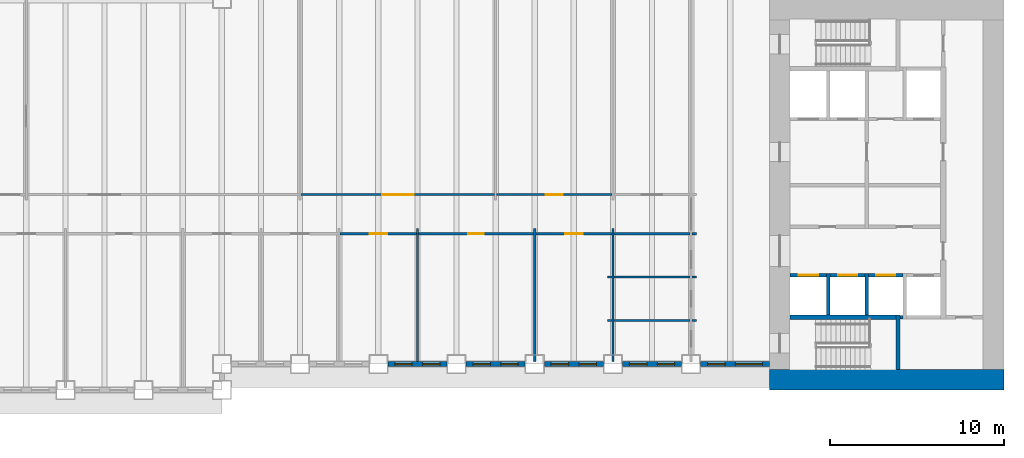
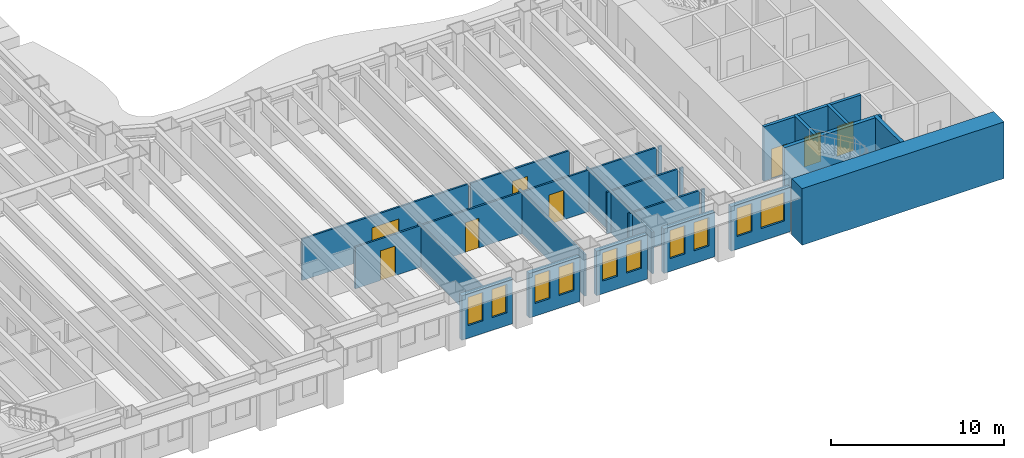
# One storey, part 5 of 15: 30 walls, 10 windows, 8 doors, 18 openings.
"""IFC4 building model written with IfcOpenShell, lengths in metres."""

from ifc_helpers import new_model, si_unit, direction, frame, frame_2d, origin, place, context, subcontext, project, spatial, rectangle, extrude, material, layer, layer_set, type_object, element, fill, save


model = new_model("IFC4")

# Units and contexts
model_context = context("Model", 3, precision=1e-05, world=origin(), true_north=direction((0.0, 1.0)))
body_context = subcontext(model_context, "Body", "Model", "MODEL_VIEW")
ifc_project = project(units=[si_unit("LENGTHUNIT", "METRE"), si_unit("AREAUNIT", "SQUARE_METRE"), si_unit("VOLUMEUNIT", "CUBIC_METRE"), si_unit("PLANEANGLEUNIT", "RADIAN"), si_unit("MASSUNIT", "GRAM", prefix="KILO")], contexts=[model_context])

# Site, building, storey
site_placement = place(None, origin())
site = spatial("IfcSite", under=ifc_project, at=site_placement, CompositionType="ELEMENT")
building_placement = place(site_placement, origin())
building = spatial("IfcBuilding", under=site, at=building_placement, Name="Sennacour Bend Tower", CompositionType="ELEMENT")
storey_placement = place(building_placement, frame((0.0, 0.0, 37.0)))
storey = spatial("IfcBuildingStorey", under=building, at=storey_placement, Name="L07", CompositionType="ELEMENT", Elevation=37.0)

# Walls
ifc_material_1 = material(Name="Concrete C80/95", Category="concrete")
ifc_layer_1 = layer(ifc_material_1, 1.199951171875, Name="Concrete C80/95", Category="concrete")
ifc_layer_set_1 = layer_set([ifc_layer_1], Name="Concrete C80/95")
wall_type_1 = type_object("IfcWallType", Name="Core wall 1200 C80/95", PredefinedType="SHEAR", material=ifc_layer_set_1)
wall_1_placement = place(storey_placement, frame((67.5, 0.60009765625, -0.14990234375), z_axis=(0.0, 0.0, 1.0), x_axis=(-1.0, 0.0, 0.0)))
element("IfcWall", 1, at=wall_1_placement, inside=storey, type_object=wall_type_1, Name="Core A wall L07 S", PredefinedType="SHEAR", context=body_context, shape_type="SweptSolid", body=[
    extrude(rectangle(XDim=13.5, YDim=1.199951171875, at=frame_2d((6.75, 0.0))), origin(), (0.0, 0.0, 1.0), 4.0),
])
ifc_material_2 = material(Name="Plasterboard partition on steel studs", Category="steel")
ifc_layer_2 = layer(ifc_material_2, 0.1201171875, Name="Plasterboard partition on steel studs", Category="steel")
ifc_layer_set_2 = layer_set([ifc_layer_2], Name="Plasterboard partition on steel studs")
wall_type_2 = type_object("IfcWallType", Name="Partition 120", PredefinedType="PARTITIONING", material=ifc_layer_set_2)
for number, where, z_axis, x_axis, name in (
    (2, (33.75, 1.64990234375, 0.0), (0.0, 0.0, 1.0), (0.0, 1.0, 0.0), "P-L07-W029a"),
    (3, (40.5, 1.64990234375, 0.0), (0.0, 0.0, 1.0), (0.0, 1.0, 0.0), "P-L07-W031a"),
    (4, (45.0, 1.64990234375, 0.0), (0.0, 0.0, 1.0), (0.0, 1.0, 0.0), "P-L07-W032a"),
):
    element("IfcWall", number, at=place(storey_placement, frame(where, z_axis=z_axis, x_axis=x_axis)), inside=storey, type_object=wall_type_2, Name=name, PredefinedType="PARTITIONING", context=body_context, shape_type="SweptSolid", body=[
        extrude(rectangle(XDim=7.650146484375, YDim=0.1201171875, at=frame_2d((3.8251953125, 0.0))), origin(), (0.0, 0.0, 1.0), 2.93798828125),
    ])
wall_2_placement = place(storey_placement, frame((44.699951171875, 4.0, 0.0), z_axis=(0.0, 0.0, 1.0), x_axis=(1.0, 0.0, 0.0)))
element("IfcWall", 5, at=wall_2_placement, inside=storey, type_object=wall_type_2, Name="P-L07-W052aa", PredefinedType="PARTITIONING", context=body_context, shape_type="SweptSolid", body=[
    extrude(rectangle(XDim=0.239990234375, YDim=0.1201171875, at=frame_2d((0.1201171875, 0.0))), origin(), (0.0, 0.0, 1.0), 2.93798828125),
])
wall_3_placement = place(storey_placement, frame((45.06005859375, 4.0, 0.0), z_axis=(0.0, 0.0, 1.0), x_axis=(1.0, 0.0, 0.0)))
element("IfcWall", 6, at=wall_3_placement, inside=storey, type_object=wall_type_2, Name="P-L07-W052ab", PredefinedType="PARTITIONING", context=body_context, shape_type="SweptSolid", body=[
    extrude(rectangle(XDim=4.3798828125, YDim=0.1201171875, at=frame_2d((2.18994140625, 0.0))), origin(), (0.0, 0.0, 1.0), 2.93798828125),
])
for number, where, z_axis, x_axis, name in (
    (7, (49.56005859375, 4.0, 0.0), (0.0, 0.0, 1.0), (1.0, 0.0, 0.0), "P-L07-W052ac"),
    (8, (44.699951171875, 6.5, 0.0), (0.0, 0.0, 1.0), (1.0, 0.0, 0.0), "P-L07-W056aa"),
):
    element("IfcWall", number, at=place(storey_placement, frame(where, z_axis=z_axis, x_axis=x_axis)), inside=storey, type_object=wall_type_2, Name=name, PredefinedType="PARTITIONING", context=body_context, shape_type="SweptSolid", body=[
        extrude(rectangle(XDim=0.239990234375, YDim=0.1201171875, at=frame_2d((0.1201171875, 0.0))), origin(), (0.0, 0.0, 1.0), 2.93798828125),
    ])
wall_4_placement = place(storey_placement, frame((45.06005859375, 6.5, 0.0), z_axis=(0.0, 0.0, 1.0), x_axis=(1.0, 0.0, 0.0)))
element("IfcWall", 9, at=wall_4_placement, inside=storey, type_object=wall_type_2, Name="P-L07-W056ab", PredefinedType="PARTITIONING", context=body_context, shape_type="SweptSolid", body=[
    extrude(rectangle(XDim=4.3798828125, YDim=0.1201171875, at=frame_2d((2.18994140625, 0.0))), origin(), (0.0, 0.0, 1.0), 2.93798828125),
])
wall_5_placement = place(storey_placement, frame((49.56005859375, 6.5, 0.0), z_axis=(0.0, 0.0, 1.0), x_axis=(1.0, 0.0, 0.0)))
element("IfcWall", 10, at=wall_5_placement, inside=storey, type_object=wall_type_2, Name="P-L07-W056ac", PredefinedType="PARTITIONING", context=body_context, shape_type="SweptSolid", body=[
    extrude(rectangle(XDim=0.239990234375, YDim=0.1201171875, at=frame_2d((0.1201171875, 0.0))), origin(), (0.0, 0.0, 1.0), 2.93798828125),
])

# Wall, opening, door
wall_6_placement = place(storey_placement, frame((29.31005859375, 9.0, 0.0), z_axis=(0.0, 0.0, 1.0), x_axis=(1.0, 0.0, 0.0)))
wall_6 = element("IfcWall", 11, at=wall_6_placement, inside=storey, type_object=wall_type_2, Name="P-L07-W058af", PredefinedType="PARTITIONING", context=body_context, shape_type="SweptSolid", body=[
    extrude(rectangle(XDim=4.3798828125, YDim=0.1201171875, at=frame_2d((2.18994140625, 0.0))), origin(), (0.0, 0.0, 1.0), 2.93798828125),
])
opening_1_placement = place(wall_6_placement, frame((1.68994140625, 0.0, 0.0)))
opening_1 = element("IfcOpeningElement", 12, at=opening_1_placement, cuts=wall_6, Name="Opening OD2", PredefinedType="OPENING", context=body_context, shape_type="SweptSolid", body=[
    extrude(rectangle(XDim=1.0, YDim=2.10009765625, at=frame_2d((0.5, 1.050048828125))), frame((0.0, 0.070068359375, 0.0), z_axis=(0.0, -1.0, 0.0), x_axis=(1.0, 0.0, 0.0)), (0.0, 0.0, 1.0), 0.14013671875),
])
ifc_material_3 = material(Name="Timber", Category="wood")
door_type_1 = type_object("IfcDoorType", Name="DR-OFFICE-1000", OperationType="NOTDEFINED", PredefinedType="DOOR", material=ifc_material_3)
door_1_placement = place(opening_1_placement, origin())
door_1 = element("IfcDoor", 13, at=door_1_placement, inside=storey, type_object=door_type_1, Name="Door", OperationType="SINGLE_SWING_LEFT", OverallHeight=2.10009765625, OverallWidth=1.0, PredefinedType="DOOR", context=body_context, shape_type="SweptSolid", body=[
    extrude(rectangle(XDim=1.0, YDim=2.10009765625, at=frame_2d((0.5, 1.050048828125))), frame((0.0, 0.02490234375, 0.0), z_axis=(0.0, -1.0, 0.0), x_axis=(1.0, 0.0, 0.0)), (0.0, 0.0, 1.0), 0.050048828125),
])
fill(opening_1, door_1)

wall_7_placement = place(storey_placement, frame((40.56005859375, 9.0, 0.0), z_axis=(0.0, 0.0, 1.0), x_axis=(1.0, 0.0, 0.0)))
wall_7 = element("IfcWall", 14, at=wall_7_placement, inside=storey, type_object=wall_type_2, Name="P-L07-W058ah", PredefinedType="PARTITIONING", context=body_context, shape_type="SweptSolid", body=[
    extrude(rectangle(XDim=4.3798828125, YDim=0.1201171875, at=frame_2d((2.18994140625, 0.0))), origin(), (0.0, 0.0, 1.0), 2.93798828125),
])
opening_2_placement = place(wall_7_placement, frame((1.68994140625, 0.0, 0.0)))
opening_2 = element("IfcOpeningElement", 15, at=opening_2_placement, cuts=wall_7, Name="Opening OD2", PredefinedType="OPENING", context=body_context, shape_type="SweptSolid", body=[
    extrude(rectangle(XDim=1.0, YDim=2.10009765625, at=frame_2d((0.5, 1.050048828125))), frame((0.0, 0.070068359375, 0.0), z_axis=(0.0, -1.0, 0.0), x_axis=(1.0, 0.0, 0.0)), (0.0, 0.0, 1.0), 0.14013671875),
])
door_2_placement = place(opening_2_placement, origin())
door_2 = element("IfcDoor", 16, at=door_2_placement, inside=storey, type_object=door_type_1, Name="Door", OperationType="SINGLE_SWING_LEFT", OverallHeight=2.10009765625, OverallWidth=1.0, PredefinedType="DOOR", context=body_context, shape_type="SweptSolid", body=[
    extrude(rectangle(XDim=1.0, YDim=2.10009765625, at=frame_2d((0.5, 1.050048828125))), frame((0.0, 0.02490234375, 0.0), z_axis=(0.0, -1.0, 0.0), x_axis=(1.0, 0.0, 0.0)), (0.0, 0.0, 1.0), 0.050048828125),
])
fill(opening_2, door_2)

# Walls
wall_8_placement = place(storey_placement, frame((45.06005859375, 9.0, 0.0), z_axis=(0.0, 0.0, 1.0), x_axis=(1.0, 0.0, 0.0)))
element("IfcWall", 17, at=wall_8_placement, inside=storey, type_object=wall_type_2, Name="P-L07-W058ai", PredefinedType="PARTITIONING", context=body_context, shape_type="SweptSolid", body=[
    extrude(rectangle(XDim=4.3798828125, YDim=0.1201171875, at=frame_2d((2.18994140625, 0.0))), origin(), (0.0, 0.0, 1.0), 2.93798828125),
])
wall_9_placement = place(storey_placement, frame((49.56005859375, 9.0, 0.0), z_axis=(0.0, 0.0, 1.0), x_axis=(1.0, 0.0, 0.0)))
element("IfcWall", 18, at=wall_9_placement, inside=storey, type_object=wall_type_2, Name="P-L07-W058aj", PredefinedType="PARTITIONING", context=body_context, shape_type="SweptSolid", body=[
    extrude(rectangle(XDim=0.239990234375, YDim=0.1201171875, at=frame_2d((0.1201171875, 0.0))), origin(), (0.0, 0.0, 1.0), 2.93798828125),
])

# Wall, opening, door
wall_10_placement = place(storey_placement, frame((27.06005859375, 11.25, 0.0), z_axis=(0.0, 0.0, 1.0), x_axis=(1.0, 0.0, 0.0)))
wall_10 = element("IfcWall", 19, at=wall_10_placement, inside=storey, type_object=wall_type_2, Name="P-L07-W060ad", PredefinedType="PARTITIONING", context=body_context, shape_type="SweptSolid", body=[
    extrude(rectangle(XDim=11.1298828125, YDim=0.1201171875, at=frame_2d((5.56494140625, 0.0))), origin(), (0.0, 0.0, 1.0), 2.93798828125),
])
opening_3_placement = place(wall_10_placement, frame((4.664794921875, 0.0, 0.0)))
opening_3 = element("IfcOpeningElement", 20, at=opening_3_placement, cuts=wall_10, Name="Opening OD3", PredefinedType="OPENING", context=body_context, shape_type="SweptSolid", body=[
    extrude(rectangle(XDim=1.800048828125, YDim=2.10009765625, at=frame_2d((0.89990234375, 1.050048828125))), frame((0.0, 0.070068359375, 0.0), z_axis=(0.0, -1.0, 0.0), x_axis=(1.0, 0.0, 0.0)), (0.0, 0.0, 1.0), 0.14013671875),
])
door_type_2 = type_object("IfcDoorType", Name="DR-OFFICE-1800", OperationType="NOTDEFINED", PredefinedType="DOOR", material=ifc_material_3)
door_3_placement = place(opening_3_placement, origin())
door_3 = element("IfcDoor", 21, at=door_3_placement, inside=storey, type_object=door_type_2, Name="Door", OperationType="DOUBLE_DOOR_SINGLE_SWING", OverallHeight=2.10009765625, OverallWidth=1.800048828125, PredefinedType="DOOR", context=body_context, shape_type="SweptSolid", body=[
    extrude(rectangle(XDim=1.800048828125, YDim=2.10009765625, at=frame_2d((0.89990234375, 1.050048828125))), frame((0.0, 0.02490234375, 0.0), z_axis=(0.0, -1.0, 0.0), x_axis=(1.0, 0.0, 0.0)), (0.0, 0.0, 1.0), 0.050048828125),
])
fill(opening_3, door_3)

wall_11_placement = place(storey_placement, frame((38.31005859375, 11.25, 0.0), z_axis=(0.0, 0.0, 1.0), x_axis=(1.0, 0.0, 0.0)))
wall_11 = element("IfcWall", 22, at=wall_11_placement, inside=storey, type_object=wall_type_2, Name="P-L07-W060ae", PredefinedType="PARTITIONING", context=body_context, shape_type="SweptSolid", body=[
    extrude(rectangle(XDim=6.6298828125, YDim=0.1201171875, at=frame_2d((3.31494140625, 0.0))), origin(), (0.0, 0.0, 1.0), 2.93798828125),
])
opening_4_placement = place(wall_11_placement, frame((2.81494140625, 0.0, 0.0)))
opening_4 = element("IfcOpeningElement", 23, at=opening_4_placement, cuts=wall_11, Name="Opening MD2", PredefinedType="OPENING", context=body_context, shape_type="SweptSolid", body=[
    extrude(rectangle(XDim=1.0, YDim=2.10009765625, at=frame_2d((0.5, 1.050048828125))), frame((0.0, 0.070068359375, 0.0), z_axis=(0.0, -1.0, 0.0), x_axis=(1.0, 0.0, 0.0)), (0.0, 0.0, 1.0), 0.14013671875),
])
door_type_3 = type_object("IfcDoorType", Name="DR-MEETING-1000", OperationType="NOTDEFINED", PredefinedType="DOOR", material=ifc_material_3)
door_4_placement = place(opening_4_placement, origin())
door_4 = element("IfcDoor", 24, at=door_4_placement, inside=storey, type_object=door_type_3, Name="Door", OperationType="SINGLE_SWING_LEFT", OverallHeight=2.10009765625, OverallWidth=1.0, PredefinedType="DOOR", context=body_context, shape_type="SweptSolid", body=[
    extrude(rectangle(XDim=1.0, YDim=2.10009765625, at=frame_2d((0.5, 1.050048828125))), frame((0.0, 0.02490234375, 0.0), z_axis=(0.0, -1.0, 0.0), x_axis=(1.0, 0.0, 0.0)), (0.0, 0.0, 1.0), 0.050048828125),
])
fill(opening_4, door_4)

ifc_layer_3 = layer(ifc_material_2, 0.1201171875, Name="Plasterboard partition on steel studs", Category="steel")
ifc_layer_set_3 = layer_set([ifc_layer_3], Name="Plasterboard partition on steel studs")
wall_type_3 = type_object("IfcWallType", Name="Partition 120 EI 60", PredefinedType="PARTITIONING", material=ifc_layer_set_3)
wall_12_placement = place(storey_placement, frame((33.81005859375, 9.0, 0.0), z_axis=(0.0, 0.0, 1.0), x_axis=(1.0, 0.0, 0.0)))
wall_12 = element("IfcWall", 25, at=wall_12_placement, inside=storey, type_object=wall_type_3, Name="P-L07-W058ag", PredefinedType="PARTITIONING", context=body_context, shape_type="SweptSolid", body=[
    extrude(rectangle(XDim=6.6298828125, YDim=0.1201171875, at=frame_2d((3.31494140625, 0.0))), origin(), (0.0, 0.0, 1.0), 2.93798828125),
])
opening_5_placement = place(wall_12_placement, frame((2.864990234375, 0.0, 0.0)))
opening_5 = element("IfcOpeningElement", 26, at=opening_5_placement, cuts=wall_12, Name="Opening SV", PredefinedType="OPENING", context=body_context, shape_type="SweptSolid", body=[
    extrude(rectangle(XDim=0.89990234375, YDim=2.10009765625, at=frame_2d((0.449951171875, 1.050048828125))), frame((0.0, 0.070068359375, 0.0), z_axis=(0.0, -1.0, 0.0), x_axis=(1.0, 0.0, 0.0)), (0.0, 0.0, 1.0), 0.14013671875),
])
ifc_material_4 = material(Name="Painted steel", Category="steel")
door_type_4 = type_object("IfcDoorType", Name="DR-SERVICE-900", OperationType="NOTDEFINED", PredefinedType="DOOR", material=ifc_material_4)
door_5_placement = place(opening_5_placement, origin())
door_5 = element("IfcDoor", 27, at=door_5_placement, inside=storey, type_object=door_type_4, Name="Door", OperationType="SINGLE_SWING_LEFT", OverallHeight=2.10009765625, OverallWidth=0.89990234375, PredefinedType="DOOR", context=body_context, shape_type="SweptSolid", body=[
    extrude(rectangle(XDim=0.89990234375, YDim=2.10009765625, at=frame_2d((0.449951171875, 1.050048828125))), frame((0.0, 0.02490234375, 0.0), z_axis=(0.0, -1.0, 0.0), x_axis=(1.0, 0.0, 0.0)), (0.0, 0.0, 1.0), 0.050048828125),
])
fill(opening_5, door_5)

# Wall, openings, windows
ifc_material_5 = material(Name="Warm limestone cladding", Category="masonry")
ifc_layer_4 = layer(ifc_material_5, 0.050048828125, Name="Warm limestone cladding", Category="masonry")
ifc_material_6 = material(Name="Precast concrete C40/50", Category="concrete")
ifc_layer_5 = layer(ifc_material_6, 0.25, Name="Precast concrete C40/50", Category="concrete")
ifc_layer_set_4 = layer_set([ifc_layer_4, ifc_layer_5], Name="Precast concrete C40/50 with limestone cladding")
wall_type_4 = type_object("IfcWallType", Name="STONE-CLAD PRECAST SPANDREL 300", PredefinedType="STANDARD", material=ifc_layer_set_4)
wall_13_placement = place(storey_placement, frame((32.050048828125, 1.5, 0.0), z_axis=(0.0, 0.0, 1.0), x_axis=(1.0, 0.0, 0.0)))
wall_13 = element("IfcWall", 28, at=wall_13_placement, inside=storey, type_object=wall_type_4, Name="Stone spandrel and pier wall L07 02.02", PredefinedType="STANDARD", context=body_context, shape_type="SweptSolid", body=[
    extrude(rectangle(XDim=3.39990234375, YDim=0.300048828125, at=frame_2d((1.699951171875, 0.0))), origin(), (0.0, 0.0, 1.0), 3.14404296875),
])
opening_6_placement = place(wall_13_placement, frame((0.39990234375, 0.0, 0.89990234375)))
opening_6 = element("IfcOpeningElement", 29, at=opening_6_placement, cuts=wall_13, Name="Opening W8", PredefinedType="OPENING", context=body_context, shape_type="SweptSolid", body=[
    extrude(rectangle(XDim=1.0, YDim=2.0, at=frame_2d((0.5, 1.0))), frame((0.0, 0.16015625, 0.0), z_axis=(0.0, -1.0, 0.0), x_axis=(1.0, 0.0, 0.0)), (0.0, 0.0, 1.0), 0.320068359375),
])
opening_7_placement = place(wall_13_placement, frame((2.0, 0.0, 0.89990234375)))
opening_7 = element("IfcOpeningElement", 30, at=opening_7_placement, cuts=wall_13, Name="Opening W8", PredefinedType="OPENING", context=body_context, shape_type="SweptSolid", body=[
    extrude(rectangle(XDim=1.0, YDim=2.0, at=frame_2d((0.5, 1.0))), frame((0.0, 0.16015625, 0.0), z_axis=(0.0, -1.0, 0.0), x_axis=(1.0, 0.0, 0.0)), (0.0, 0.0, 1.0), 0.320068359375),
])
ifc_material_7 = material(Name="Clear low-emissivity glass", Category="glass")
window_type_1 = type_object("IfcWindowType", Name="WIN-RIBBON-1000x2000", PartitioningType="SINGLE_PANEL", PredefinedType="WINDOW", material=ifc_material_7)
window_1_placement = place(opening_6_placement, origin())
window_1 = element("IfcWindow", 31, at=window_1_placement, inside=storey, type_object=window_type_1, Name="Ribbon window L07 02.02.0", OverallHeight=2.0, OverallWidth=1.0, PartitioningType="SINGLE_PANEL", PredefinedType="WINDOW", context=body_context, shape_type="SweptSolid", body=[
    extrude(rectangle(XDim=1.0, YDim=2.0, at=frame_2d((0.5, 1.0))), frame((0.0, 0.030029296875, 0.0), z_axis=(0.0, -1.0, 0.0), x_axis=(1.0, 0.0, 0.0)), (0.0, 0.0, 1.0), 0.06005859375),
])
fill(opening_6, window_1)
window_2_placement = place(opening_7_placement, origin())
window_2 = element("IfcWindow", 32, at=window_2_placement, inside=storey, type_object=window_type_1, Name="Ribbon window L07 02.02.1", OverallHeight=2.0, OverallWidth=1.0, PartitioningType="SINGLE_PANEL", PredefinedType="WINDOW", context=body_context, shape_type="SweptSolid", body=[
    extrude(rectangle(XDim=1.0, YDim=2.0, at=frame_2d((0.5, 1.0))), frame((0.0, 0.030029296875, 0.0), z_axis=(0.0, -1.0, 0.0), x_axis=(1.0, 0.0, 0.0)), (0.0, 0.0, 1.0), 0.06005859375),
])
fill(opening_7, window_2)

wall_14_placement = place(storey_placement, frame((36.550048828125, 1.5, 0.0), z_axis=(0.0, 0.0, 1.0), x_axis=(1.0, 0.0, 0.0)))
wall_14 = element("IfcWall", 33, at=wall_14_placement, inside=storey, type_object=wall_type_4, Name="Stone spandrel and pier wall L07 02.03", PredefinedType="STANDARD", context=body_context, shape_type="SweptSolid", body=[
    extrude(rectangle(XDim=3.39990234375, YDim=0.300048828125, at=frame_2d((1.699951171875, 0.0))), origin(), (0.0, 0.0, 1.0), 3.14404296875),
])
opening_8_placement = place(wall_14_placement, frame((0.39990234375, 0.0, 0.89990234375)))
opening_8 = element("IfcOpeningElement", 34, at=opening_8_placement, cuts=wall_14, Name="Opening W8", PredefinedType="OPENING", context=body_context, shape_type="SweptSolid", body=[
    extrude(rectangle(XDim=1.0, YDim=2.0, at=frame_2d((0.5, 1.0))), frame((0.0, 0.16015625, 0.0), z_axis=(0.0, -1.0, 0.0), x_axis=(1.0, 0.0, 0.0)), (0.0, 0.0, 1.0), 0.320068359375),
])
opening_9_placement = place(wall_14_placement, frame((2.0, 0.0, 0.89990234375)))
opening_9 = element("IfcOpeningElement", 35, at=opening_9_placement, cuts=wall_14, Name="Opening W8", PredefinedType="OPENING", context=body_context, shape_type="SweptSolid", body=[
    extrude(rectangle(XDim=1.0, YDim=2.0, at=frame_2d((0.5, 1.0))), frame((0.0, 0.16015625, 0.0), z_axis=(0.0, -1.0, 0.0), x_axis=(1.0, 0.0, 0.0)), (0.0, 0.0, 1.0), 0.320068359375),
])
window_3_placement = place(opening_8_placement, origin())
window_3 = element("IfcWindow", 36, at=window_3_placement, inside=storey, type_object=window_type_1, Name="Ribbon window L07 02.03.0", OverallHeight=2.0, OverallWidth=1.0, PartitioningType="SINGLE_PANEL", PredefinedType="WINDOW", context=body_context, shape_type="SweptSolid", body=[
    extrude(rectangle(XDim=1.0, YDim=2.0, at=frame_2d((0.5, 1.0))), frame((0.0, 0.030029296875, 0.0), z_axis=(0.0, -1.0, 0.0), x_axis=(1.0, 0.0, 0.0)), (0.0, 0.0, 1.0), 0.06005859375),
])
fill(opening_8, window_3)
window_4_placement = place(opening_9_placement, origin())
window_4 = element("IfcWindow", 37, at=window_4_placement, inside=storey, type_object=window_type_1, Name="Ribbon window L07 02.03.1", OverallHeight=2.0, OverallWidth=1.0, PartitioningType="SINGLE_PANEL", PredefinedType="WINDOW", context=body_context, shape_type="SweptSolid", body=[
    extrude(rectangle(XDim=1.0, YDim=2.0, at=frame_2d((0.5, 1.0))), frame((0.0, 0.030029296875, 0.0), z_axis=(0.0, -1.0, 0.0), x_axis=(1.0, 0.0, 0.0)), (0.0, 0.0, 1.0), 0.06005859375),
])
fill(opening_9, window_4)

wall_15_placement = place(storey_placement, frame((41.050048828125, 1.5, 0.0), z_axis=(0.0, 0.0, 1.0), x_axis=(1.0, 0.0, 0.0)))
wall_15 = element("IfcWall", 38, at=wall_15_placement, inside=storey, type_object=wall_type_4, Name="Stone spandrel and pier wall L07 02.04", PredefinedType="STANDARD", context=body_context, shape_type="SweptSolid", body=[
    extrude(rectangle(XDim=3.39990234375, YDim=0.300048828125, at=frame_2d((1.699951171875, 0.0))), origin(), (0.0, 0.0, 1.0), 3.14404296875),
])
opening_10_placement = place(wall_15_placement, frame((0.39990234375, 0.0, 0.89990234375)))
opening_10 = element("IfcOpeningElement", 39, at=opening_10_placement, cuts=wall_15, Name="Opening W8", PredefinedType="OPENING", context=body_context, shape_type="SweptSolid", body=[
    extrude(rectangle(XDim=1.0, YDim=2.0, at=frame_2d((0.5, 1.0))), frame((0.0, 0.16015625, 0.0), z_axis=(0.0, -1.0, 0.0), x_axis=(1.0, 0.0, 0.0)), (0.0, 0.0, 1.0), 0.320068359375),
])
opening_11_placement = place(wall_15_placement, frame((2.0, 0.0, 0.89990234375)))
opening_11 = element("IfcOpeningElement", 40, at=opening_11_placement, cuts=wall_15, Name="Opening W8", PredefinedType="OPENING", context=body_context, shape_type="SweptSolid", body=[
    extrude(rectangle(XDim=1.0, YDim=2.0, at=frame_2d((0.5, 1.0))), frame((0.0, 0.16015625, 0.0), z_axis=(0.0, -1.0, 0.0), x_axis=(1.0, 0.0, 0.0)), (0.0, 0.0, 1.0), 0.320068359375),
])
window_5_placement = place(opening_10_placement, origin())
window_5 = element("IfcWindow", 41, at=window_5_placement, inside=storey, type_object=window_type_1, Name="Ribbon window L07 02.04.0", OverallHeight=2.0, OverallWidth=1.0, PartitioningType="SINGLE_PANEL", PredefinedType="WINDOW", context=body_context, shape_type="SweptSolid", body=[
    extrude(rectangle(XDim=1.0, YDim=2.0, at=frame_2d((0.5, 1.0))), frame((0.0, 0.030029296875, 0.0), z_axis=(0.0, -1.0, 0.0), x_axis=(1.0, 0.0, 0.0)), (0.0, 0.0, 1.0), 0.06005859375),
])
fill(opening_10, window_5)
window_6_placement = place(opening_11_placement, origin())
window_6 = element("IfcWindow", 42, at=window_6_placement, inside=storey, type_object=window_type_1, Name="Ribbon window L07 02.04.1", OverallHeight=2.0, OverallWidth=1.0, PartitioningType="SINGLE_PANEL", PredefinedType="WINDOW", context=body_context, shape_type="SweptSolid", body=[
    extrude(rectangle(XDim=1.0, YDim=2.0, at=frame_2d((0.5, 1.0))), frame((0.0, 0.030029296875, 0.0), z_axis=(0.0, -1.0, 0.0), x_axis=(1.0, 0.0, 0.0)), (0.0, 0.0, 1.0), 0.06005859375),
])
fill(opening_11, window_6)

wall_16_placement = place(storey_placement, frame((45.550048828125, 1.5, 0.0), z_axis=(0.0, 0.0, 1.0), x_axis=(1.0, 0.0, 0.0)))
wall_16 = element("IfcWall", 43, at=wall_16_placement, inside=storey, type_object=wall_type_4, Name="Stone spandrel and pier wall L07 02.05", PredefinedType="STANDARD", context=body_context, shape_type="SweptSolid", body=[
    extrude(rectangle(XDim=3.39990234375, YDim=0.300048828125, at=frame_2d((1.699951171875, 0.0))), origin(), (0.0, 0.0, 1.0), 3.14404296875),
])
opening_12_placement = place(wall_16_placement, frame((0.39990234375, 0.0, 0.89990234375)))
opening_12 = element("IfcOpeningElement", 44, at=opening_12_placement, cuts=wall_16, Name="Opening W8", PredefinedType="OPENING", context=body_context, shape_type="SweptSolid", body=[
    extrude(rectangle(XDim=1.0, YDim=2.0, at=frame_2d((0.5, 1.0))), frame((0.0, 0.16015625, 0.0), z_axis=(0.0, -1.0, 0.0), x_axis=(1.0, 0.0, 0.0)), (0.0, 0.0, 1.0), 0.320068359375),
])
opening_13_placement = place(wall_16_placement, frame((2.0, 0.0, 0.89990234375)))
opening_13 = element("IfcOpeningElement", 45, at=opening_13_placement, cuts=wall_16, Name="Opening W8", PredefinedType="OPENING", context=body_context, shape_type="SweptSolid", body=[
    extrude(rectangle(XDim=1.0, YDim=2.0, at=frame_2d((0.5, 1.0))), frame((0.0, 0.16015625, 0.0), z_axis=(0.0, -1.0, 0.0), x_axis=(1.0, 0.0, 0.0)), (0.0, 0.0, 1.0), 0.320068359375),
])
window_7_placement = place(opening_12_placement, origin())
window_7 = element("IfcWindow", 46, at=window_7_placement, inside=storey, type_object=window_type_1, Name="Ribbon window L07 02.05.0", OverallHeight=2.0, OverallWidth=1.0, PartitioningType="SINGLE_PANEL", PredefinedType="WINDOW", context=body_context, shape_type="SweptSolid", body=[
    extrude(rectangle(XDim=1.0, YDim=2.0, at=frame_2d((0.5, 1.0))), frame((0.0, 0.030029296875, 0.0), z_axis=(0.0, -1.0, 0.0), x_axis=(1.0, 0.0, 0.0)), (0.0, 0.0, 1.0), 0.06005859375),
])
fill(opening_12, window_7)
window_8_placement = place(opening_13_placement, origin())
window_8 = element("IfcWindow", 47, at=window_8_placement, inside=storey, type_object=window_type_1, Name="Ribbon window L07 02.05.1", OverallHeight=2.0, OverallWidth=1.0, PartitioningType="SINGLE_PANEL", PredefinedType="WINDOW", context=body_context, shape_type="SweptSolid", body=[
    extrude(rectangle(XDim=1.0, YDim=2.0, at=frame_2d((0.5, 1.0))), frame((0.0, 0.030029296875, 0.0), z_axis=(0.0, -1.0, 0.0), x_axis=(1.0, 0.0, 0.0)), (0.0, 0.0, 1.0), 0.06005859375),
])
fill(opening_13, window_8)

wall_17_placement = place(storey_placement, frame((50.050048828125, 1.5, 0.0), z_axis=(0.0, 0.0, 1.0), x_axis=(1.0, 0.0, 0.0)))
wall_17 = element("IfcWall", 48, at=wall_17_placement, inside=storey, type_object=wall_type_4, Name="Stone spandrel and pier wall L07 02.06", PredefinedType="STANDARD", context=body_context, shape_type="SweptSolid", body=[
    extrude(rectangle(XDim=3.949951171875, YDim=0.300048828125, at=frame_2d((1.97509765625, 0.0))), origin(), (0.0, 0.0, 1.0), 3.14404296875),
])
opening_14_placement = place(wall_17_placement, frame((0.39990234375, 0.0, 0.89990234375)))
opening_14 = element("IfcOpeningElement", 49, at=opening_14_placement, cuts=wall_17, Name="Opening W8", PredefinedType="OPENING", context=body_context, shape_type="SweptSolid", body=[
    extrude(rectangle(XDim=1.0, YDim=2.0, at=frame_2d((0.5, 1.0))), frame((0.0, 0.16015625, 0.0), z_axis=(0.0, -1.0, 0.0), x_axis=(1.0, 0.0, 0.0)), (0.0, 0.0, 1.0), 0.320068359375),
])
opening_15_placement = place(wall_17_placement, frame((2.0, 0.0, 0.89990234375)))
opening_15 = element("IfcOpeningElement", 50, at=opening_15_placement, cuts=wall_17, Name="Opening W9", PredefinedType="OPENING", context=body_context, shape_type="SweptSolid", body=[
    extrude(rectangle(XDim=1.550048828125, YDim=2.0, at=frame_2d((0.77490234375, 1.0))), frame((0.0, 0.16015625, 0.0), z_axis=(0.0, -1.0, 0.0), x_axis=(1.0, 0.0, 0.0)), (0.0, 0.0, 1.0), 0.320068359375),
])
window_9_placement = place(opening_14_placement, origin())
window_9 = element("IfcWindow", 51, at=window_9_placement, inside=storey, type_object=window_type_1, Name="Ribbon window L07 02.06.0", OverallHeight=2.0, OverallWidth=1.0, PartitioningType="SINGLE_PANEL", PredefinedType="WINDOW", context=body_context, shape_type="SweptSolid", body=[
    extrude(rectangle(XDim=1.0, YDim=2.0, at=frame_2d((0.5, 1.0))), frame((0.0, 0.030029296875, 0.0), z_axis=(0.0, -1.0, 0.0), x_axis=(1.0, 0.0, 0.0)), (0.0, 0.0, 1.0), 0.06005859375),
])
fill(opening_14, window_9)
window_type_2 = type_object("IfcWindowType", Name="WIN-RIBBON-1550x2000", PartitioningType="SINGLE_PANEL", PredefinedType="WINDOW", material=ifc_material_7)
window_10_placement = place(opening_15_placement, origin())
window_10 = element("IfcWindow", 52, at=window_10_placement, inside=storey, type_object=window_type_2, Name="Ribbon window L07 02.06.1", OverallHeight=2.0, OverallWidth=1.550048828125, PartitioningType="SINGLE_PANEL", PredefinedType="WINDOW", context=body_context, shape_type="SweptSolid", body=[
    extrude(rectangle(XDim=1.550048828125, YDim=2.0, at=frame_2d((0.77490234375, 1.0))), frame((0.0, 0.030029296875, 0.0), z_axis=(0.0, -1.0, 0.0), x_axis=(1.0, 0.0, 0.0)), (0.0, 0.0, 1.0), 0.06005859375),
])
fill(opening_15, window_10)

# Walls
ifc_material_8 = material(Name="Concrete C50/60", Category="concrete")
ifc_layer_6 = layer(ifc_material_8, 0.199951171875, Name="Concrete C50/60", Category="concrete")
ifc_layer_set_5 = layer_set([ifc_layer_6], Name="Concrete C50/60")
wall_type_5 = type_object("IfcWallType", Name="Shaft wall 200", PredefinedType="SOLIDWALL", material=ifc_layer_set_5)
for number, where, z_axis, x_axis, name in (
    (53, (57.39990234375, 4.324951171875, 0.0), (0.0, 0.0, 1.0), (0.0, 1.0, 0.0), "P-L07-W036"),
    (54, (59.60009765625, 4.324951171875, 0.0), (0.0, 0.0, 1.0), (0.0, 1.0, 0.0), "P-L07-W038"),
):
    element("IfcWall", number, at=place(storey_placement, frame(where, z_axis=z_axis, x_axis=x_axis)), inside=storey, type_object=wall_type_5, Name=name, PredefinedType="SOLIDWALL", context=body_context, shape_type="SweptSolid", body=[
        extrude(rectangle(XDim=2.375, YDim=0.199951171875, at=frame_2d((1.1875, 0.0))), origin(), (0.0, 0.0, 1.0), 3.85009765625),
    ])
wall_18_placement = place(storey_placement, frame((61.52490234375, 4.199951171875, 0.0), z_axis=(0.0, 0.0, 1.0), x_axis=(1.0, 0.0, 0.0)))
element("IfcWall", 55, at=wall_18_placement, inside=storey, type_object=wall_type_5, Name="P-L07-W054a", PredefinedType="SOLIDWALL", context=body_context, shape_type="SweptSolid", body=[
    extrude(rectangle(XDim=0.175048828125, YDim=0.199951171875, at=frame_2d((0.08740234375, 0.0))), origin(), (0.0, 0.0, 1.0), 3.85009765625),
])

# Wall, opening, door
wall_19_placement = place(storey_placement, frame((55.199951171875, 6.60009765625, 0.0), z_axis=(0.0, 0.0, 1.0), x_axis=(1.0, 0.0, 0.0)))
wall_19 = element("IfcWall", 56, at=wall_19_placement, inside=storey, type_object=wall_type_5, Name="P-L07-W057a", PredefinedType="SOLIDWALL", context=body_context, shape_type="SweptSolid", body=[
    extrude(rectangle(XDim=2.10009765625, YDim=0.199951171875, at=frame_2d((1.050048828125, 0.0))), origin(), (0.0, 0.0, 1.0), 3.85009765625),
])
opening_16_placement = place(wall_19_placement, frame((0.5, 0.0, 0.011962890625)))
opening_16 = element("IfcOpeningElement", 57, at=opening_16_placement, cuts=wall_19, Name="Opening LD", PredefinedType="OPENING", context=body_context, shape_type="SweptSolid", body=[
    extrude(rectangle(XDim=1.10009765625, YDim=2.10009765625, at=frame_2d((0.550048828125, 1.050048828125))), frame((0.0, 0.10986328125, 0.0), z_axis=(0.0, -1.0, 0.0), x_axis=(1.0, 0.0, 0.0)), (0.0, 0.0, 1.0), 0.219970703125),
])
ifc_material_9 = material(Name="Stainless steel", Category="steel")
door_type_5 = type_object("IfcDoorType", Name="DR-LANDING-1100", OperationType="NOTDEFINED", PredefinedType="DOOR", material=ifc_material_9)
door_6_placement = place(opening_16_placement, origin())
door_6 = element("IfcDoor", 58, at=door_6_placement, inside=storey, type_object=door_type_5, Name="Lift landing door LA1", OperationType="SLIDING_TO_LEFT", OverallHeight=2.10009765625, OverallWidth=1.10009765625, PredefinedType="DOOR", context=body_context, shape_type="SweptSolid", body=[
    extrude(rectangle(XDim=1.10009765625, YDim=2.10009765625, at=frame_2d((0.550048828125, 1.050048828125))), frame((0.0, 0.02490234375, 0.0), z_axis=(0.0, -1.0, 0.0), x_axis=(1.0, 0.0, 0.0)), (0.0, 0.0, 1.0), 0.050048828125),
])
fill(opening_16, door_6)

wall_20_placement = place(storey_placement, frame((57.5, 6.60009765625, 0.0), z_axis=(0.0, 0.0, 1.0), x_axis=(1.0, 0.0, 0.0)))
wall_20 = element("IfcWall", 59, at=wall_20_placement, inside=storey, type_object=wall_type_5, Name="P-L07-W057b", PredefinedType="SOLIDWALL", context=body_context, shape_type="SweptSolid", body=[
    extrude(rectangle(XDim=2.0, YDim=0.199951171875, at=frame_2d((1.0, 0.0))), origin(), (0.0, 0.0, 1.0), 3.85009765625),
])
opening_17_placement = place(wall_20_placement, frame((0.449951171875, 0.0, 0.011962890625)))
opening_17 = element("IfcOpeningElement", 60, at=opening_17_placement, cuts=wall_20, Name="Opening LD", PredefinedType="OPENING", context=body_context, shape_type="SweptSolid", body=[
    extrude(rectangle(XDim=1.10009765625, YDim=2.10009765625, at=frame_2d((0.550048828125, 1.050048828125))), frame((0.0, 0.10986328125, 0.0), z_axis=(0.0, -1.0, 0.0), x_axis=(1.0, 0.0, 0.0)), (0.0, 0.0, 1.0), 0.219970703125),
])
door_7_placement = place(opening_17_placement, origin())
door_7 = element("IfcDoor", 61, at=door_7_placement, inside=storey, type_object=door_type_5, Name="Lift landing door LA2", OperationType="SLIDING_TO_RIGHT", OverallHeight=2.10009765625, OverallWidth=1.10009765625, PredefinedType="DOOR", context=body_context, shape_type="SweptSolid", body=[
    extrude(rectangle(XDim=1.10009765625, YDim=2.10009765625, at=frame_2d((0.550048828125, 1.050048828125))), frame((0.0, 0.02490234375, 0.0), z_axis=(0.0, -1.0, 0.0), x_axis=(1.0, 0.0, 0.0)), (0.0, 0.0, 1.0), 0.050048828125),
])
fill(opening_17, door_7)

wall_21_placement = place(storey_placement, frame((59.699951171875, 6.60009765625, 0.0), z_axis=(0.0, 0.0, 1.0), x_axis=(1.0, 0.0, 0.0)))
wall_21 = element("IfcWall", 62, at=wall_21_placement, inside=storey, type_object=wall_type_5, Name="P-L07-W057c", PredefinedType="SOLIDWALL", context=body_context, shape_type="SweptSolid", body=[
    extrude(rectangle(XDim=2.0, YDim=0.199951171875, at=frame_2d((1.0, 0.0))), origin(), (0.0, 0.0, 1.0), 3.85009765625),
])
opening_18_placement = place(wall_21_placement, frame((0.449951171875, 0.0, 0.011962890625)))
opening_18 = element("IfcOpeningElement", 63, at=opening_18_placement, cuts=wall_21, Name="Opening LD", PredefinedType="OPENING", context=body_context, shape_type="SweptSolid", body=[
    extrude(rectangle(XDim=1.10009765625, YDim=2.10009765625, at=frame_2d((0.550048828125, 1.050048828125))), frame((0.0, 0.10986328125, 0.0), z_axis=(0.0, -1.0, 0.0), x_axis=(1.0, 0.0, 0.0)), (0.0, 0.0, 1.0), 0.219970703125),
])
door_8_placement = place(opening_18_placement, origin())
door_8 = element("IfcDoor", 64, at=door_8_placement, inside=storey, type_object=door_type_5, Name="Lift landing door LA3", OperationType="SLIDING_TO_LEFT", OverallHeight=2.10009765625, OverallWidth=1.10009765625, PredefinedType="DOOR", context=body_context, shape_type="SweptSolid", body=[
    extrude(rectangle(XDim=1.10009765625, YDim=2.10009765625, at=frame_2d((0.550048828125, 1.050048828125))), frame((0.0, 0.02490234375, 0.0), z_axis=(0.0, -1.0, 0.0), x_axis=(1.0, 0.0, 0.0)), (0.0, 0.0, 1.0), 0.050048828125),
])
fill(opening_18, door_8)

# Walls
ifc_material_10 = material(Name="Concrete C60/75", Category="concrete")
ifc_layer_7 = layer(ifc_material_10, 0.25, Name="Concrete C60/75", Category="concrete")
ifc_layer_set_6 = layer_set([ifc_layer_7], Name="Concrete C60/75")
wall_type_6 = type_object("IfcWallType", Name="Stair wall 250", PredefinedType="SHEAR", material=ifc_layer_set_6)
wall_22_placement = place(storey_placement, frame((61.39990234375, 1.199951171875, 0.0), z_axis=(0.0, 0.0, 1.0), x_axis=(0.0, 1.0, 0.0)))
element("IfcWall", 65, at=wall_22_placement, inside=storey, type_object=wall_type_6, Name="P-L07-W041", PredefinedType="SHEAR", context=body_context, shape_type="SweptSolid", body=[
    extrude(rectangle(XDim=3.125, YDim=0.25, at=frame_2d((1.5625, 0.0))), origin(), (0.0, 0.0, 1.0), 3.85009765625),
])
wall_23_placement = place(storey_placement, frame((55.199951171875, 4.199951171875, 0.0), z_axis=(0.0, 0.0, 1.0), x_axis=(1.0, 0.0, 0.0)))
element("IfcWall", 66, at=wall_23_placement, inside=storey, type_object=wall_type_6, Name="P-L07-W053", PredefinedType="SHEAR", context=body_context, shape_type="SweptSolid", body=[
    extrude(rectangle(XDim=6.074951171875, YDim=0.25, at=frame_2d((3.03759765625, 0.0))), origin(), (0.0, 0.0, 1.0), 3.85009765625),
])

save(model, "model.ifc")
